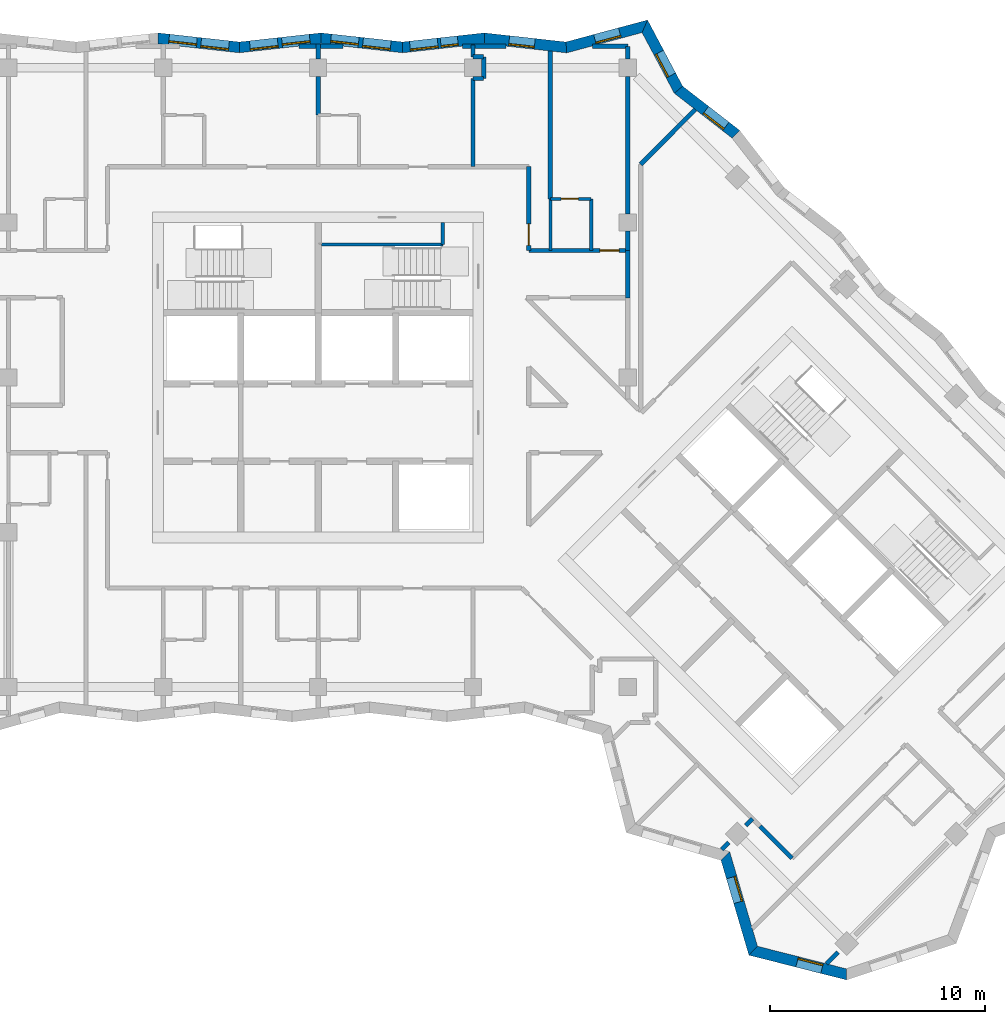
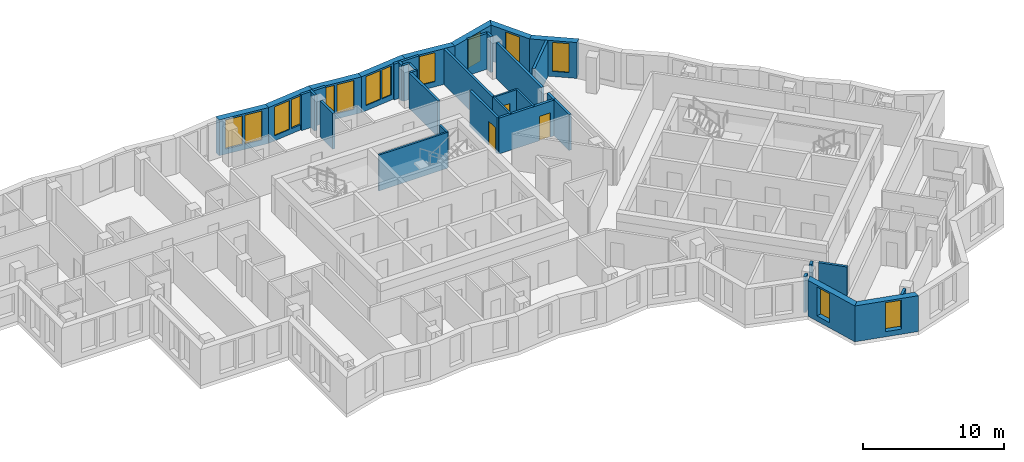
# One storey, part 7 of 13: 37 walls, 14 windows, 3 doors, 17 openings.
"""IFC4 building model written with IfcOpenShell, lengths in metres."""

from ifc_helpers import new_model, si_unit, direction, frame, frame_2d, origin, place, context, subcontext, project, spatial, polyline, rectangle, outline, extrude, material, layer, layer_set, type_object, element, fill, save


model = new_model("IFC4")

# Units and contexts
model_context = context("Model", 3, precision=1e-05, world=origin(), true_north=direction((0.0, 1.0)))
body_context = subcontext(model_context, "Body", "Model", "MODEL_VIEW")
ifc_project = project(units=[si_unit("LENGTHUNIT", "METRE"), si_unit("AREAUNIT", "SQUARE_METRE"), si_unit("VOLUMEUNIT", "CUBIC_METRE"), si_unit("PLANEANGLEUNIT", "RADIAN"), si_unit("MASSUNIT", "GRAM", prefix="KILO")], contexts=[model_context])

# Site, building, storey
site_placement = place(None, origin())
site = spatial("IfcSite", under=ifc_project, at=site_placement, CompositionType="ELEMENT")
building_placement = place(site_placement, origin())
building = spatial("IfcBuilding", under=site, at=building_placement, Name="Windrow Commons", CompositionType="ELEMENT")
storey_placement = place(building_placement, frame((0.0, 0.0, 203.2)))
storey = spatial("IfcBuildingStorey", under=building, at=storey_placement, Name="L55", CompositionType="ELEMENT", Elevation=203.2)

# Wall, opening, window
ifc_material_1 = material(Name="Brick masonry, red clay brick", Category="masonry")
ifc_layer_1 = layer(ifc_material_1, 0.5)
ifc_layer_set_1 = layer_set([ifc_layer_1], Name="Brick facade wall 500")
wall_type_1 = type_object("IfcWallType", Name="Brick facade wall 500", PredefinedType="SOLIDWALL", material=ifc_layer_set_1)
wall_1_placement = place(storey_placement, frame((84.2297, 68.9064, 0.0), z_axis=(0.0, 0.0, 1.0), x_axis=(-0.7901686375, 0.6128894879, 0.0)))
wall_1 = element("IfcWall", 1, at=wall_1_placement, inside=storey, type_object=wall_type_1, Name="Brick facade wall L55 15", PredefinedType="SOLIDWALL", context=body_context, shape_type="SweptSolid", body=[
    extrude(outline(polyline([(-0.0316, -0.25), (3.3269, -0.25), (3.4343, 0.25), (0.0316, 0.25), (-0.0316, -0.25)])), origin(), (0.0, 0.0, 1.0), 3.1),
])
opening_1_placement = place(wall_1_placement, frame((0.5963, 0.0, 0.45)))
opening_1 = element("IfcOpeningElement", 2, at=opening_1_placement, cuts=wall_1, Name="Opening W7E", PredefinedType="OPENING", context=body_context, shape_type="SweptSolid", body=[
    extrude(rectangle(XDim=1.2, YDim=2.5, at=frame_2d((0.6, 1.25))), frame((0.0, 0.26, 0.0), z_axis=(0.0, -1.0, 0.0), x_axis=(1.0, 0.0, 0.0)), (0.0, 0.0, 1.0), 0.52),
])
ifc_material_2 = material(Name="Clear float glass in anodised aluminium frame", Category="aluminium")
window_type_1 = type_object("IfcWindowType", Name="Window W7 notch 1200x2500", PartitioningType="SINGLE_PANEL", PredefinedType="WINDOW", material=ifc_material_2)
window_1_placement = place(opening_1_placement, origin())
window_1 = element("IfcWindow", 3, at=window_1_placement, inside=storey, type_object=window_type_1, Name="Window L55 15.1", OverallHeight=2.5, OverallWidth=1.2, PartitioningType="SINGLE_PANEL", PredefinedType="WINDOW", context=body_context, shape_type="SweptSolid", body=[
    extrude(rectangle(XDim=1.2, YDim=2.5, at=frame_2d((0.6, 1.25))), frame((0.0, 0.18, 0.0), z_axis=(0.0, -1.0, 0.0), x_axis=(1.0, 0.0, 0.0)), (0.0, 0.0, 1.0), 0.06),
])
fill(opening_1, window_1)

wall_2_placement = place(storey_placement, frame((81.5585, 70.9783, 0.0), z_axis=(0.0, 0.0, 1.0), x_axis=(-0.4689165571, 0.8832424709, 0.0)))
wall_2 = element("IfcWall", 4, at=wall_2_placement, inside=storey, type_object=wall_type_1, Name="Brick facade wall L55 16", PredefinedType="SOLIDWALL", context=body_context, shape_type="SweptSolid", body=[
    extrude(outline(polyline([(0.0537, -0.25), (3.5386, -0.25), (3.1402, 0.25), (-0.0537, 0.25), (0.0537, -0.25)])), origin(), (0.0, 0.0, 1.0), 3.1),
])
opening_2_placement = place(wall_2_placement, frame((0.7499, 0.0, 0.45)))
opening_2 = element("IfcOpeningElement", 5, at=opening_2_placement, cuts=wall_2, Name="Opening W7E", PredefinedType="OPENING", context=body_context, shape_type="SweptSolid", body=[
    extrude(rectangle(XDim=1.2, YDim=2.5, at=frame_2d((0.6, 1.25))), frame((0.0, 0.26, 0.0), z_axis=(0.0, -1.0, 0.0), x_axis=(1.0, 0.0, 0.0)), (0.0, 0.0, 1.0), 0.52),
])
window_2_placement = place(opening_2_placement, origin())
window_2 = element("IfcWindow", 6, at=window_2_placement, inside=storey, type_object=window_type_1, Name="Window L55 16.1", OverallHeight=2.5, OverallWidth=1.2, PartitioningType="SINGLE_PANEL", PredefinedType="WINDOW", context=body_context, shape_type="SweptSolid", body=[
    extrude(rectangle(XDim=1.2, YDim=2.5, at=frame_2d((0.6, 1.25))), frame((0.0, 0.18, 0.0), z_axis=(0.0, -1.0, 0.0), x_axis=(1.0, 0.0, 0.0)), (0.0, 0.0, 1.0), 0.06),
])
fill(opening_2, window_2)

wall_3_placement = place(storey_placement, frame((79.9926, 73.9278, 0.0), z_axis=(0.0, 0.0, 1.0), x_axis=(-0.9656859812, -0.259712506, 0.0)))
wall_3 = element("IfcWall", 7, at=wall_3_placement, inside=storey, type_object=wall_type_1, Name="Brick facade wall L55 17", PredefinedType="SOLIDWALL", context=body_context, shape_type="SweptSolid", body=[
    extrude(outline(polyline([(-0.1992, -0.25), (3.732, -0.25), (3.8264, 0.25), (0.1992, 0.25), (-0.1992, -0.25)])), origin(), (0.0, 0.0, 1.0), 3.1),
])
opening_3_placement = place(wall_3_placement, frame((1.2, 0.0, 0.45)))
opening_3 = element("IfcOpeningElement", 8, at=opening_3_placement, cuts=wall_3, Name="Opening W7E", PredefinedType="OPENING", context=body_context, shape_type="SweptSolid", body=[
    extrude(rectangle(XDim=1.2, YDim=2.5, at=frame_2d((0.6, 1.25))), frame((0.0, 0.26, 0.0), z_axis=(0.0, -1.0, 0.0), x_axis=(1.0, 0.0, 0.0)), (0.0, 0.0, 1.0), 0.52),
])
window_3_placement = place(opening_3_placement, origin())
window_3 = element("IfcWindow", 9, at=window_3_placement, inside=storey, type_object=window_type_1, Name="Window L55 17.1", OverallHeight=2.5, OverallWidth=1.2, PartitioningType="SINGLE_PANEL", PredefinedType="WINDOW", context=body_context, shape_type="SweptSolid", body=[
    extrude(rectangle(XDim=1.2, YDim=2.5, at=frame_2d((0.6, 1.25))), frame((0.0, 0.18, 0.0), z_axis=(0.0, -1.0, 0.0), x_axis=(1.0, 0.0, 0.0)), (0.0, 0.0, 1.0), 0.06),
])
fill(opening_3, window_3)

wall_4_placement = place(storey_placement, frame((76.3431, 72.9463, 0.0), z_axis=(0.0, 0.0, 1.0), x_axis=(-0.9939056334, 0.1102342595, 0.0)))
wall_4 = element("IfcWall", 10, at=wall_4_placement, inside=storey, type_object=wall_type_1, Name="Brick facade wall L55 18", PredefinedType="SOLIDWALL", context=body_context, shape_type="SweptSolid", body=[
    extrude(outline(polyline([(0.0472, -0.25), (3.8668, -0.25), (3.8113, 0.25), (-0.0472, 0.25), (0.0472, -0.25)])), origin(), (0.0, 0.0, 1.0), 3.1),
])
opening_4_placement = place(wall_4_placement, frame((1.4795, 0.0, 0.45)))
opening_4 = element("IfcOpeningElement", 11, at=opening_4_placement, cuts=wall_4, Name="Opening W7E", PredefinedType="OPENING", context=body_context, shape_type="SweptSolid", body=[
    extrude(rectangle(XDim=1.2, YDim=2.5, at=frame_2d((0.6, 1.25))), frame((0.0, 0.26, 0.0), z_axis=(0.0, -1.0, 0.0), x_axis=(1.0, 0.0, 0.0)), (0.0, 0.0, 1.0), 0.52),
])
window_4_placement = place(opening_4_placement, origin())
window_4 = element("IfcWindow", 12, at=window_4_placement, inside=storey, type_object=window_type_1, Name="Window L55 18.1", OverallHeight=2.5, OverallWidth=1.2, PartitioningType="SINGLE_PANEL", PredefinedType="WINDOW", context=body_context, shape_type="SweptSolid", body=[
    extrude(rectangle(XDim=1.2, YDim=2.5, at=frame_2d((0.6, 1.25))), frame((0.0, 0.18, 0.0), z_axis=(0.0, -1.0, 0.0), x_axis=(1.0, 0.0, 0.0)), (0.0, 0.0, 1.0), 0.06),
])
fill(opening_4, window_4)

# Wall, openings, windows
wall_5_placement = place(storey_placement, frame((72.5274, 73.3695, 0.0), z_axis=(0.0, 0.0, 1.0), x_axis=(-0.99390702, -0.1102217568, 0.0)))
wall_5 = element("IfcWall", 13, at=wall_5_placement, inside=storey, type_object=wall_type_1, Name="Brick facade wall L55 19", PredefinedType="SOLIDWALL", context=body_context, shape_type="SweptSolid", body=[
    extrude(outline(polyline([(-0.0277, -0.25), (3.7919, -0.25), (3.8473, 0.25), (0.0277, 0.25), (-0.0277, -0.25)])), origin(), (0.0, 0.0, 1.0), 3.1),
])
opening_5_placement = place(wall_5_placement, frame((2.1751, 0.0, 0.45)))
opening_5 = element("IfcOpeningElement", 14, at=opening_5_placement, cuts=wall_5, Name="Opening W1Q", PredefinedType="OPENING", context=body_context, shape_type="SweptSolid", body=[
    extrude(rectangle(XDim=1.3, YDim=2.5, at=frame_2d((0.65, 1.25))), frame((0.0, 0.26, 0.0), z_axis=(0.0, -1.0, 0.0), x_axis=(1.0, 0.0, 0.0)), (0.0, 0.0, 1.0), 0.52),
])
opening_6_placement = place(wall_5_placement, frame((1.2365, 0.0, 0.45)))
opening_6 = element("IfcOpeningElement", 15, at=opening_6_placement, cuts=wall_5, Name="Opening W1N", PredefinedType="OPENING", context=body_context, shape_type="SweptSolid", body=[
    extrude(rectangle(XDim=0.8, YDim=2.5, at=frame_2d((0.4, 1.25))), frame((0.0, 0.26, 0.0), z_axis=(0.0, -1.0, 0.0), x_axis=(1.0, 0.0, 0.0)), (0.0, 0.0, 1.0), 0.52),
])
ifc_material_3 = material(Name="Clear float glass in anodised aluminium frame", Category="aluminium")
window_type_2 = type_object("IfcWindowType", Name="Window W1N slit 800x2500", PartitioningType="SINGLE_PANEL", PredefinedType="WINDOW", material=ifc_material_3)
window_5_placement = place(opening_6_placement, origin())
window_5 = element("IfcWindow", 16, at=window_5_placement, inside=storey, type_object=window_type_2, Name="Window L55 19.1AA", OverallHeight=2.5, OverallWidth=0.8, PartitioningType="SINGLE_PANEL", PredefinedType="WINDOW", context=body_context, shape_type="SweptSolid", body=[
    extrude(rectangle(XDim=0.8, YDim=2.5, at=frame_2d((0.4, 1.25))), frame((0.0, 0.18, 0.0), z_axis=(0.0, -1.0, 0.0), x_axis=(1.0, 0.0, 0.0)), (0.0, 0.0, 1.0), 0.06),
])
fill(opening_6, window_5)
ifc_material_4 = material(Name="Clear float glass in anodised aluminium frame", Category="aluminium")
window_type_3 = type_object("IfcWindowType", Name="Window W1Q pair 1300x2500", PartitioningType="SINGLE_PANEL", PredefinedType="WINDOW", material=ifc_material_4)
window_6_placement = place(opening_5_placement, origin())
window_6 = element("IfcWindow", 17, at=window_6_placement, inside=storey, type_object=window_type_3, Name="Window L55 19.1B", OverallHeight=2.5, OverallWidth=1.3, PartitioningType="SINGLE_PANEL", PredefinedType="WINDOW", context=body_context, shape_type="SweptSolid", body=[
    extrude(rectangle(XDim=1.3, YDim=2.5, at=frame_2d((0.65, 1.25))), frame((0.0, 0.18, 0.0), z_axis=(0.0, -1.0, 0.0), x_axis=(1.0, 0.0, 0.0)), (0.0, 0.0, 1.0), 0.06),
])
fill(opening_5, window_6)

wall_6_placement = place(storey_placement, frame((68.7311, 72.9485, 0.0), z_axis=(0.0, 0.0, 1.0), x_axis=(-0.99390702, 0.1102217568, 0.0)))
wall_6 = element("IfcWall", 18, at=wall_6_placement, inside=storey, type_object=wall_type_1, Name="Brick facade wall L55 20", PredefinedType="SOLIDWALL", context=body_context, shape_type="SweptSolid", body=[
    extrude(outline(polyline([(0.0277, -0.25), (3.8473, -0.25), (3.7919, 0.25), (-0.0277, 0.25), (0.0277, -0.25)])), origin(), (0.0, 0.0, 1.0), 3.1),
])
opening_7_placement = place(wall_6_placement, frame((0.5625, 0.0, 0.45)))
opening_7 = element("IfcOpeningElement", 19, at=opening_7_placement, cuts=wall_6, Name="Opening W1Q", PredefinedType="OPENING", context=body_context, shape_type="SweptSolid", body=[
    extrude(rectangle(XDim=1.3, YDim=2.5, at=frame_2d((0.65, 1.25))), frame((0.0, 0.26, 0.0), z_axis=(0.0, -1.0, 0.0), x_axis=(1.0, 0.0, 0.0)), (0.0, 0.0, 1.0), 0.52),
])
opening_8_placement = place(wall_6_placement, frame((2.0625, 0.0, 0.45)))
opening_8 = element("IfcOpeningElement", 20, at=opening_8_placement, cuts=wall_6, Name="Opening W1Q", PredefinedType="OPENING", context=body_context, shape_type="SweptSolid", body=[
    extrude(rectangle(XDim=1.3, YDim=2.5, at=frame_2d((0.65, 1.25))), frame((0.0, 0.26, 0.0), z_axis=(0.0, -1.0, 0.0), x_axis=(1.0, 0.0, 0.0)), (0.0, 0.0, 1.0), 0.52),
])
window_7_placement = place(opening_7_placement, origin())
window_7 = element("IfcWindow", 21, at=window_7_placement, inside=storey, type_object=window_type_3, Name="Window L55 20.1A", OverallHeight=2.5, OverallWidth=1.3, PartitioningType="SINGLE_PANEL", PredefinedType="WINDOW", context=body_context, shape_type="SweptSolid", body=[
    extrude(rectangle(XDim=1.3, YDim=2.5, at=frame_2d((0.65, 1.25))), frame((0.0, 0.18, 0.0), z_axis=(0.0, -1.0, 0.0), x_axis=(1.0, 0.0, 0.0)), (0.0, 0.0, 1.0), 0.06),
])
fill(opening_7, window_7)
window_8_placement = place(opening_8_placement, origin())
window_8 = element("IfcWindow", 22, at=window_8_placement, inside=storey, type_object=window_type_3, Name="Window L55 20.1B", OverallHeight=2.5, OverallWidth=1.3, PartitioningType="SINGLE_PANEL", PredefinedType="WINDOW", context=body_context, shape_type="SweptSolid", body=[
    extrude(rectangle(XDim=1.3, YDim=2.5, at=frame_2d((0.65, 1.25))), frame((0.0, 0.12, 0.0), z_axis=(0.0, -1.0, 0.0), x_axis=(1.0, 0.0, 0.0)), (0.0, 0.0, 1.0), 0.06),
])
fill(opening_8, window_8)

wall_7_placement = place(storey_placement, frame((64.9348, 73.3695, 0.0), z_axis=(0.0, 0.0, 1.0), x_axis=(-0.993907338, -0.1102188888, 0.0)))
wall_7 = element("IfcWall", 23, at=wall_7_placement, inside=storey, type_object=wall_type_1, Name="Brick facade wall L55 21", PredefinedType="SOLIDWALL", context=body_context, shape_type="SweptSolid", body=[
    extrude(outline(polyline([(-0.0277, -0.25), (3.7919, -0.25), (3.8473, 0.25), (0.0277, 0.25), (-0.0277, -0.25)])), origin(), (0.0, 0.0, 1.0), 3.1),
])
opening_9_placement = place(wall_7_placement, frame((0.5237, 0.0, 0.45)))
opening_9 = element("IfcOpeningElement", 24, at=opening_9_placement, cuts=wall_7, Name="Opening W1Q", PredefinedType="OPENING", context=body_context, shape_type="SweptSolid", body=[
    extrude(rectangle(XDim=1.3, YDim=2.5, at=frame_2d((0.65, 1.25))), frame((0.0, 0.26, 0.0), z_axis=(0.0, -1.0, 0.0), x_axis=(1.0, 0.0, 0.0)), (0.0, 0.0, 1.0), 0.52),
])
opening_10_placement = place(wall_7_placement, frame((2.0237, 0.0, 0.45)))
opening_10 = element("IfcOpeningElement", 25, at=opening_10_placement, cuts=wall_7, Name="Opening W1Q", PredefinedType="OPENING", context=body_context, shape_type="SweptSolid", body=[
    extrude(rectangle(XDim=1.3, YDim=2.5, at=frame_2d((0.65, 1.25))), frame((0.0, 0.26, 0.0), z_axis=(0.0, -1.0, 0.0), x_axis=(1.0, 0.0, 0.0)), (0.0, 0.0, 1.0), 0.52),
])
window_9_placement = place(opening_9_placement, origin())
window_9 = element("IfcWindow", 26, at=window_9_placement, inside=storey, type_object=window_type_3, Name="Window L55 21.1A", OverallHeight=2.5, OverallWidth=1.3, PartitioningType="SINGLE_PANEL", PredefinedType="WINDOW", context=body_context, shape_type="SweptSolid", body=[
    extrude(rectangle(XDim=1.3, YDim=2.5, at=frame_2d((0.65, 1.25))), frame((0.0, 0.12, 0.0), z_axis=(0.0, -1.0, 0.0), x_axis=(1.0, 0.0, 0.0)), (0.0, 0.0, 1.0), 0.06),
])
fill(opening_9, window_9)
window_10_placement = place(opening_10_placement, origin())
window_10 = element("IfcWindow", 27, at=window_10_placement, inside=storey, type_object=window_type_3, Name="Window L55 21.1B", OverallHeight=2.5, OverallWidth=1.3, PartitioningType="SINGLE_PANEL", PredefinedType="WINDOW", context=body_context, shape_type="SweptSolid", body=[
    extrude(rectangle(XDim=1.3, YDim=2.5, at=frame_2d((0.65, 1.25))), frame((0.0, 0.18, 0.0), z_axis=(0.0, -1.0, 0.0), x_axis=(1.0, 0.0, 0.0)), (0.0, 0.0, 1.0), 0.06),
])
fill(opening_10, window_10)

wall_8_placement = place(storey_placement, frame((61.1384, 72.9485, 0.0), z_axis=(0.0, 0.0, 1.0), x_axis=(-0.99390702, 0.1102217568, 0.0)))
wall_8 = element("IfcWall", 28, at=wall_8_placement, inside=storey, type_object=wall_type_1, Name="Brick facade wall L55 22", PredefinedType="SOLIDWALL", context=body_context, shape_type="SweptSolid", body=[
    extrude(outline(polyline([(0.0277, -0.25), (3.8473, -0.25), (3.7919, 0.25), (-0.0277, 0.25), (0.0277, -0.25)])), origin(), (0.0, 0.0, 1.0), 3.1),
])
opening_11_placement = place(wall_8_placement, frame((0.4959, 0.0, 0.45)))
opening_11 = element("IfcOpeningElement", 29, at=opening_11_placement, cuts=wall_8, Name="Opening W1Q", PredefinedType="OPENING", context=body_context, shape_type="SweptSolid", body=[
    extrude(rectangle(XDim=1.3, YDim=2.5, at=frame_2d((0.65, 1.25))), frame((0.0, 0.26, 0.0), z_axis=(0.0, -1.0, 0.0), x_axis=(1.0, 0.0, 0.0)), (0.0, 0.0, 1.0), 0.52),
])
opening_12_placement = place(wall_8_placement, frame((1.9959, 0.0, 0.45)))
opening_12 = element("IfcOpeningElement", 30, at=opening_12_placement, cuts=wall_8, Name="Opening W1Q", PredefinedType="OPENING", context=body_context, shape_type="SweptSolid", body=[
    extrude(rectangle(XDim=1.3, YDim=2.5, at=frame_2d((0.65, 1.25))), frame((0.0, 0.26, 0.0), z_axis=(0.0, -1.0, 0.0), x_axis=(1.0, 0.0, 0.0)), (0.0, 0.0, 1.0), 0.52),
])
window_11_placement = place(opening_11_placement, origin())
window_11 = element("IfcWindow", 31, at=window_11_placement, inside=storey, type_object=window_type_3, Name="Window L55 22.1A", OverallHeight=2.5, OverallWidth=1.3, PartitioningType="SINGLE_PANEL", PredefinedType="WINDOW", context=body_context, shape_type="SweptSolid", body=[
    extrude(rectangle(XDim=1.3, YDim=2.5, at=frame_2d((0.65, 1.25))), frame((0.0, 0.18, 0.0), z_axis=(0.0, -1.0, 0.0), x_axis=(1.0, 0.0, 0.0)), (0.0, 0.0, 1.0), 0.06),
])
fill(opening_11, window_11)
window_12_placement = place(opening_12_placement, origin())
window_12 = element("IfcWindow", 32, at=window_12_placement, inside=storey, type_object=window_type_3, Name="Window L55 22.1B", OverallHeight=2.5, OverallWidth=1.3, PartitioningType="SINGLE_PANEL", PredefinedType="WINDOW", context=body_context, shape_type="SweptSolid", body=[
    extrude(rectangle(XDim=1.3, YDim=2.5, at=frame_2d((0.65, 1.25))), frame((0.0, 0.12, 0.0), z_axis=(0.0, -1.0, 0.0), x_axis=(1.0, 0.0, 0.0)), (0.0, 0.0, 1.0), 0.06),
])
fill(opening_12, window_12)

# Wall, opening, window
wall_9_placement = place(storey_placement, frame((83.7396, 35.3363, 0.0), z_axis=(0.0, 0.0, 1.0), x_axis=(0.2820577435, -0.9593974303, 0.0)))
wall_9 = element("IfcWall", 33, at=wall_9_placement, inside=storey, type_object=wall_type_1, Name="Brick facade wall L55 50", PredefinedType="SOLIDWALL", context=body_context, shape_type="SweptSolid", body=[
    extrude(outline(polyline([(0.1364, -0.25), (4.7299, -0.25), (4.4449, 0.25), (-0.1364, 0.25), (0.1364, -0.25)])), origin(), (0.0, 0.0, 1.0), 3.1),
])
opening_13_placement = place(wall_9_placement, frame((1.0303, 0.0, 0.45)))
opening_13 = element("IfcOpeningElement", 34, at=opening_13_placement, cuts=wall_9, Name="Opening W7E", PredefinedType="OPENING", context=body_context, shape_type="SweptSolid", body=[
    extrude(rectangle(XDim=1.2, YDim=2.5, at=frame_2d((0.6, 1.25))), frame((0.0, 0.26, 0.0), z_axis=(0.0, -1.0, 0.0), x_axis=(1.0, 0.0, 0.0)), (0.0, 0.0, 1.0), 0.52),
])
window_13_placement = place(opening_13_placement, origin())
window_13 = element("IfcWindow", 35, at=window_13_placement, inside=storey, type_object=window_type_1, Name="Window L55 50.1", OverallHeight=2.5, OverallWidth=1.2, PartitioningType="SINGLE_PANEL", PredefinedType="WINDOW", context=body_context, shape_type="SweptSolid", body=[
    extrude(rectangle(XDim=1.2, YDim=2.5, at=frame_2d((0.6, 1.25))), frame((0.0, 0.18, 0.0), z_axis=(0.0, -1.0, 0.0), x_axis=(1.0, 0.0, 0.0)), (0.0, 0.0, 1.0), 0.06),
])
fill(opening_13, window_13)

wall_10_placement = place(storey_placement, frame((85.0335, 30.9352, 0.0), z_axis=(0.0, 0.0, 1.0), x_axis=(0.9692704293, -0.2459976318, 0.0)))
wall_10 = element("IfcWall", 36, at=wall_10_placement, inside=storey, type_object=wall_type_1, Name="Brick facade wall L55 51", PredefinedType="SOLIDWALL", context=body_context, shape_type="SweptSolid", body=[
    extrude(outline(polyline([(-0.1425, -0.25), (4.5501, -0.25), (4.4035, 0.25), (0.1425, 0.25), (-0.1425, -0.25)])), origin(), (0.0, 0.0, 1.0), 3.1),
])
opening_14_placement = place(wall_10_placement, frame((2.1066, 0.0, 0.45)))
opening_14 = element("IfcOpeningElement", 37, at=opening_14_placement, cuts=wall_10, Name="Opening W7E", PredefinedType="OPENING", context=body_context, shape_type="SweptSolid", body=[
    extrude(rectangle(XDim=1.2, YDim=2.5, at=frame_2d((0.6, 1.25))), frame((0.0, 0.26, 0.0), z_axis=(0.0, -1.0, 0.0), x_axis=(1.0, 0.0, 0.0)), (0.0, 0.0, 1.0), 0.52),
])
window_14_placement = place(opening_14_placement, origin())
window_14 = element("IfcWindow", 38, at=window_14_placement, inside=storey, type_object=window_type_1, Name="Window L55 51.1", OverallHeight=2.5, OverallWidth=1.2, PartitioningType="SINGLE_PANEL", PredefinedType="WINDOW", context=body_context, shape_type="SweptSolid", body=[
    extrude(rectangle(XDim=1.2, YDim=2.5, at=frame_2d((0.6, 1.25))), frame((0.0, 0.18, 0.0), z_axis=(0.0, -1.0, 0.0), x_axis=(1.0, 0.0, 0.0)), (0.0, 0.0, 1.0), 0.06),
])
fill(opening_14, window_14)

# Wall, opening, door
ifc_material_5 = material(Name="Blockwork partition", Category="masonry")
ifc_layer_2 = layer(ifc_material_5, 0.2)
ifc_layer_set_2 = layer_set([ifc_layer_2], Name="IW-CORRIDOR-200")
wall_type_2 = type_object("IfcWallType", Name="IW-CORRIDOR-200", PredefinedType="PARTITIONING", material=ifc_layer_set_2)
wall_11_placement = place(storey_placement, frame((74.602, 63.5, 0.0), z_axis=(0.0, 0.0, 1.0), x_axis=(1.0, 0.0, 0.0)))
wall_11 = element("IfcWall", 39, at=wall_11_placement, inside=storey, type_object=wall_type_2, Name="W-L55-W036", PredefinedType="PARTITIONING", context=body_context, shape_type="SweptSolid", body=[
    extrude(rectangle(XDim=4.598, YDim=0.2, at=frame_2d((2.299, 0.0))), origin(), (0.0, 0.0, 1.0), 3.1),
])
opening_15_placement = place(wall_11_placement, frame((3.298, 0.0, 0.0)))
opening_15 = element("IfcOpeningElement", 40, at=opening_15_placement, cuts=wall_11, Name="Opening D109S", PredefinedType="OPENING", context=body_context, shape_type="SweptSolid", body=[
    extrude(rectangle(XDim=0.9, YDim=2.1, at=frame_2d((0.45, 1.05))), frame((0.0, 0.11, 0.0), z_axis=(0.0, -1.0, 0.0), x_axis=(1.0, 0.0, 0.0)), (0.0, 0.0, 1.0), 0.22),
])
ifc_material_6 = material(Name="Timber door leaf", Category="wood")
door_type_1 = type_object("IfcDoorType", Name="DT-BEDROOM-900", OperationType="SINGLE_SWING_LEFT", PredefinedType="DOOR", material=ifc_material_6)
door_1_placement = place(opening_15_placement, origin())
door_1 = element("IfcDoor", 41, at=door_1_placement, inside=storey, type_object=door_type_1, Name="D-L55-D021", OperationType="SINGLE_SWING_LEFT", OverallHeight=2.1, OverallWidth=0.9, PredefinedType="DOOR", context=body_context, shape_type="SweptSolid", body=[
    extrude(rectangle(XDim=0.9, YDim=2.1, at=frame_2d((0.45, 1.05))), frame((0.0, 0.025, 0.0), z_axis=(0.0, -1.0, 0.0), x_axis=(1.0, 0.0, 0.0)), (0.0, 0.0, 1.0), 0.05),
])
fill(opening_15, door_1)

wall_12_placement = place(storey_placement, frame((74.6, 63.502, 0.0), z_axis=(0.0, 0.0, 1.0), x_axis=(0.0, 1.0, 0.0)))
wall_12 = element("IfcWall", 42, at=wall_12_placement, inside=storey, type_object=wall_type_2, Name="W-L55-W043", PredefinedType="PARTITIONING", context=body_context, shape_type="SweptSolid", body=[
    extrude(rectangle(XDim=3.898, YDim=0.2, at=frame_2d((1.949, 0.0))), origin(), (0.0, 0.0, 1.0), 3.1),
])
opening_16_placement = place(wall_12_placement, frame((0.2416, 0.0, 0.0)))
opening_16 = element("IfcOpeningElement", 43, at=opening_16_placement, cuts=wall_12, Name="Opening D310F", PredefinedType="OPENING", context=body_context, shape_type="SweptSolid", body=[
    extrude(rectangle(XDim=1.0, YDim=2.1, at=frame_2d((0.5, 1.05))), frame((0.0, 0.11, 0.0), z_axis=(0.0, -1.0, 0.0), x_axis=(1.0, 0.0, 0.0)), (0.0, 0.0, 1.0), 0.22),
])
ifc_material_7 = material(Name="Timber door leaf", Category="wood")
door_type_2 = type_object("IfcDoorType", Name="DT-AMENITY-1000", OperationType="SINGLE_SWING_LEFT", PredefinedType="DOOR", material=ifc_material_7)
door_2_placement = place(opening_16_placement, origin())
door_2 = element("IfcDoor", 44, at=door_2_placement, inside=storey, type_object=door_type_2, Name="D-L55-D020", OperationType="SINGLE_SWING_RIGHT", OverallHeight=2.1, OverallWidth=1.0, PredefinedType="DOOR", context=body_context, shape_type="SweptSolid", body=[
    extrude(rectangle(XDim=1.0, YDim=2.1, at=frame_2d((0.5, 1.05))), frame((0.0, 0.025, 0.0), z_axis=(0.0, -1.0, 0.0), x_axis=(1.0, 0.0, 0.0)), (0.0, 0.0, 1.0), 0.05),
])
fill(opening_16, door_2)

# Walls
wall_13_placement = place(storey_placement, frame((79.2, 61.3, 0.0), z_axis=(0.0, 0.0, 1.0), x_axis=(0.0, 1.0, 0.0)))
element("IfcWall", 45, at=wall_13_placement, inside=storey, type_object=wall_type_2, Name="W-L55-W094", PredefinedType="PARTITIONING", context=body_context, shape_type="SweptSolid", body=[
    extrude(rectangle(XDim=2.2, YDim=0.2, at=frame_2d((1.1, 0.0))), origin(), (0.0, 0.0, 1.0), 3.1),
])
wall_14_placement = place(storey_placement, frame((85.3532, 36.7172, 0.0), z_axis=(0.0, 0.0, 1.0), x_axis=(0.7066304548, -0.7075827869, 0.0)))
element("IfcWall", 46, at=wall_14_placement, inside=storey, type_object=wall_type_2, Name="W-L55-W098", PredefinedType="PARTITIONING", context=body_context, shape_type="SweptSolid", body=[
    extrude(rectangle(XDim=2.1001, YDim=0.2, at=frame_2d((1.05, 0.0))), origin(), (0.0, 0.0, 1.0), 3.1),
])
ifc_material_8 = material(Name="Blockwork partition", Category="masonry")
ifc_layer_3 = layer(ifc_material_8, 0.15)
ifc_layer_set_3 = layer_set([ifc_layer_3], Name="IW-ENSUITE-150")
wall_type_3 = type_object("IfcWallType", Name="IW-ENSUITE-150", PredefinedType="PARTITIONING", material=ifc_layer_set_3)
for number, where, z_axis, x_axis, name in (
    (47, (75.6, 63.5, 0.0), (0.0, 0.0, 1.0), (0.0, 1.0, 0.0), "W-L55-W072"),
    (48, (77.5, 63.5, 0.0), (0.0, 0.0, 1.0), (0.0, 1.0, 0.0), "W-L55-W073"),
):
    element("IfcWall", number, at=place(storey_placement, frame(where, z_axis=z_axis, x_axis=x_axis)), inside=storey, type_object=wall_type_3, Name=name, PredefinedType="PARTITIONING", context=body_context, shape_type="SweptSolid", body=[
        extrude(rectangle(XDim=2.4, YDim=0.15, at=frame_2d((1.2, 0.0))), origin(), (0.0, 0.0, 1.0), 3.1),
    ])

# Wall, opening, door
wall_15_placement = place(storey_placement, frame((75.6, 65.9, 0.0), z_axis=(0.0, 0.0, 1.0), x_axis=(1.0, 0.0, 0.0)))
wall_15 = element("IfcWall", 49, at=wall_15_placement, inside=storey, type_object=wall_type_3, Name="W-L55-W111", PredefinedType="PARTITIONING", context=body_context, shape_type="SweptSolid", body=[
    extrude(rectangle(XDim=1.9, YDim=0.15, at=frame_2d((0.95, 0.0))), origin(), (0.0, 0.0, 1.0), 3.1),
])
opening_17_placement = place(wall_15_placement, frame((0.5021, 0.0, 0.0)))
opening_17 = element("IfcOpeningElement", 50, at=opening_17_placement, cuts=wall_15, Name="Opening D208N", PredefinedType="OPENING", context=body_context, shape_type="SweptSolid", body=[
    extrude(rectangle(XDim=0.8, YDim=2.1, at=frame_2d((0.4, 1.05))), frame((0.0, 0.085, 0.0), z_axis=(0.0, -1.0, 0.0), x_axis=(1.0, 0.0, 0.0)), (0.0, 0.0, 1.0), 0.17),
])
ifc_material_9 = material(Name="Timber door leaf", Category="wood")
door_type_3 = type_object("IfcDoorType", Name="DT-ENSUITE-800", OperationType="SINGLE_SWING_LEFT", PredefinedType="DOOR", material=ifc_material_9)
door_3_placement = place(opening_17_placement, origin())
door_3 = element("IfcDoor", 51, at=door_3_placement, inside=storey, type_object=door_type_3, Name="D-L55-D022", OperationType="SINGLE_SWING_RIGHT", OverallHeight=2.1, OverallWidth=0.8, PredefinedType="DOOR", context=body_context, shape_type="SweptSolid", body=[
    extrude(rectangle(XDim=0.8, YDim=2.1, at=frame_2d((0.4, 1.05))), frame((0.0, 0.025, 0.0), z_axis=(0.0, -1.0, 0.0), x_axis=(1.0, 0.0, 0.0)), (0.0, 0.0, 1.0), 0.05),
])
fill(opening_17, door_3)

# Walls
ifc_material_10 = material(Name="Blockwork partition", Category="masonry")
ifc_layer_4 = layer(ifc_material_10, 0.2)
ifc_layer_set_4 = layer_set([ifc_layer_4], Name="IW-PARTY-200")
wall_type_4 = type_object("IfcWallType", Name="IW-PARTY-200", PredefinedType="PARTITIONING", material=ifc_layer_set_4)
wall_16_placement = place(storey_placement, frame((75.6, 65.9, 0.0), z_axis=(0.0, 0.0, 1.0), x_axis=(0.0, 1.0, 0.0)))
element("IfcWall", 52, at=wall_16_placement, inside=storey, type_object=wall_type_4, Name="W-L55-W015", PredefinedType="PARTITIONING", context=body_context, shape_type="SweptSolid", body=[
    extrude(rectangle(XDim=6.8772, YDim=0.2, at=frame_2d((3.4386, 0.0))), origin(), (0.0, 0.0, 1.0), 3.1),
])
wall_17_placement = place(storey_placement, frame((79.2, 65.2, 0.0), z_axis=(0.0, 0.0, 1.0), x_axis=(0.0, 1.0, 0.0)))
element("IfcWall", 53, at=wall_17_placement, inside=storey, type_object=wall_type_4, Name="W-L55-W023", PredefinedType="PARTITIONING", context=body_context, shape_type="SweptSolid", body=[
    extrude(rectangle(XDim=6.4, YDim=0.2, at=frame_2d((3.2, 0.0))), origin(), (0.0, 0.0, 1.0), 3.1),
])
wall_18_placement = place(storey_placement, frame((72.0, 67.4, 0.0), z_axis=(0.0, 0.0, 1.0), x_axis=(0.0, 1.0, 0.0)))
element("IfcWall", 54, at=wall_18_placement, inside=storey, type_object=wall_type_4, Name="W-L55-W040", PredefinedType="PARTITIONING", context=body_context, shape_type="SweptSolid", body=[
    extrude(rectangle(XDim=4.096, YDim=0.2, at=frame_2d((2.048, 0.0))), origin(), (0.0, 0.0, 1.0), 3.1),
])
wall_19_placement = place(storey_placement, frame((79.7988, 67.5092, 0.0), z_axis=(0.0, 0.0, 1.0), x_axis=(0.7070928849, 0.7071206772, 0.0)))
element("IfcWall", 55, at=wall_19_placement, inside=storey, type_object=wall_type_4, Name="W-L55-W045", PredefinedType="PARTITIONING", context=body_context, shape_type="SweptSolid", body=[
    extrude(rectangle(XDim=3.5981, YDim=0.2, at=frame_2d((1.7991, 0.0))), origin(), (0.0, 0.0, 1.0), 3.1),
])
for number, where, z_axis, x_axis, name in (
    (56, (63.9213, 73.0, 0.0), (0.0, 0.0, 1.0), (1.0, 0.0, 0.0), "W-L55-W104"),
    (57, (71.5139, 73.0, 0.0), (0.0, 0.0, 1.0), (1.0, 0.0, 0.0), "W-L55-W105"),
):
    element("IfcWall", number, at=place(storey_placement, frame(where, z_axis=z_axis, x_axis=x_axis)), inside=storey, type_object=wall_type_4, Name=name, PredefinedType="PARTITIONING", context=body_context, shape_type="SweptSolid", body=[
        extrude(rectangle(XDim=2.0269, YDim=0.2, at=frame_2d((1.0134, 0.0))), origin(), (0.0, 0.0, 1.0), 3.1),
    ])
wall_20_placement = place(storey_placement, frame((64.8, 69.8, 0.0), z_axis=(0.0, 0.0, 1.0), x_axis=(0.0, 1.0, 0.0)))
element("IfcWall", 58, at=wall_20_placement, inside=storey, type_object=wall_type_4, Name="W-L55-W127", PredefinedType="PARTITIONING", context=body_context, shape_type="SweptSolid", body=[
    extrude(rectangle(XDim=1.8, YDim=0.2, at=frame_2d((0.9, 0.0))), origin(), (0.0, 0.0, 1.0), 3.1),
])
wall_21_placement = place(storey_placement, frame((77.5552, 73.0, 0.0), z_axis=(0.0, 0.0, 1.0), x_axis=(1.0, 0.0, 0.0)))
element("IfcWall", 59, at=wall_21_placement, inside=storey, type_object=wall_type_4, Name="W-L55-W131", PredefinedType="PARTITIONING", context=body_context, shape_type="SweptSolid", body=[
    extrude(rectangle(XDim=1.6448, YDim=0.2, at=frame_2d((0.8224, 0.0))), origin(), (0.0, 0.0, 1.0), 3.1),
])
wall_22_placement = place(storey_placement, frame((72.5, 71.496, 0.0), z_axis=(0.0, 0.0, 1.0), x_axis=(0.0, 1.0, 0.0)))
element("IfcWall", 60, at=wall_22_placement, inside=storey, type_object=wall_type_4, Name="W-L55-W136", PredefinedType="PARTITIONING", context=body_context, shape_type="SweptSolid", body=[
    extrude(rectangle(XDim=1.01, YDim=0.2, at=frame_2d((0.505, 0.0))), origin(), (0.0, 0.0, 1.0), 3.1),
])
wall_23_placement = place(storey_placement, frame((79.2, 63.5, 0.0), z_axis=(0.0, 0.0, 1.0), x_axis=(0.0, 1.0, 0.0)))
element("IfcWall", 61, at=wall_23_placement, inside=storey, type_object=wall_type_4, Name="W-L55-W142", PredefinedType="PARTITIONING", context=body_context, shape_type="SweptSolid", body=[
    extrude(rectangle(XDim=0.9, YDim=0.2, at=frame_2d((0.45, 0.0))), origin(), (0.0, 0.0, 1.0), 3.1),
])
wall_24_placement = place(storey_placement, frame((88.4389, 30.3289, 0.0), z_axis=(0.0, 0.0, 1.0), x_axis=(0.7071067812, 0.7071067812, 0.0)))
element("IfcWall", 62, at=wall_24_placement, inside=storey, type_object=wall_type_4, Name="W-L55-W151", PredefinedType="PARTITIONING", context=body_context, shape_type="SweptSolid", body=[
    extrude(rectangle(XDim=0.7666, YDim=0.2, at=frame_2d((0.3833, 0.0))), origin(), (0.0, 0.0, 1.0), 3.1),
])
wall_25_placement = place(storey_placement, frame((64.8, 72.4, 0.0), z_axis=(0.0, 0.0, 1.0), x_axis=(0.0, 1.0, 0.0)))
element("IfcWall", 63, at=wall_25_placement, inside=storey, type_object=wall_type_4, Name="W-L55-W154", PredefinedType="PARTITIONING", context=body_context, shape_type="SweptSolid", body=[
    extrude(rectangle(XDim=0.703, YDim=0.2, at=frame_2d((0.3515, 0.0))), origin(), (0.0, 0.0, 1.0), 3.1),
])
wall_26_placement = place(storey_placement, frame((79.2, 72.4, 0.0), z_axis=(0.0, 0.0, 1.0), x_axis=(0.0, 1.0, 0.0)))
element("IfcWall", 64, at=wall_26_placement, inside=storey, type_object=wall_type_4, Name="W-L55-W160", PredefinedType="PARTITIONING", context=body_context, shape_type="SweptSolid", body=[
    extrude(rectangle(XDim=0.6, YDim=0.2, at=frame_2d((0.3, 0.0))), origin(), (0.0, 0.0, 1.0), 3.1),
])
wall_27_placement = place(storey_placement, frame((72.0, 72.506, 0.0), z_axis=(0.0, 0.0, 1.0), x_axis=(0.0, 1.0, 0.0)))
element("IfcWall", 65, at=wall_27_placement, inside=storey, type_object=wall_type_4, Name="W-L55-W166", PredefinedType="PARTITIONING", context=body_context, shape_type="SweptSolid", body=[
    extrude(rectangle(XDim=0.5534, YDim=0.2, at=frame_2d((0.2767, 0.0))), origin(), (0.0, 0.0, 1.0), 3.1),
])
for number, where, z_axis, x_axis, name in (
    (66, (72.0, 71.5, 0.0), (0.0, 0.0, 1.0), (1.0, 0.0, 0.0), "W-L55-W167"),
    (67, (72.0, 72.51, 0.0), (0.0, 0.0, 1.0), (1.0, 0.0, 0.0), "W-L55-W168"),
):
    element("IfcWall", number, at=place(storey_placement, frame(where, z_axis=z_axis, x_axis=x_axis)), inside=storey, type_object=wall_type_4, Name=name, PredefinedType="PARTITIONING", context=body_context, shape_type="SweptSolid", body=[
        extrude(rectangle(XDim=0.5, YDim=0.2, at=frame_2d((0.25, 0.0))), origin(), (0.0, 0.0, 1.0), 3.1),
    ])
wall_28_placement = place(storey_placement, frame((84.6908, 36.7632, 0.0), z_axis=(0.0, 0.0, 1.0), x_axis=(0.7071067812, 0.7071067812, 0.0)))
element("IfcWall", 68, at=wall_28_placement, inside=storey, type_object=wall_type_4, Name="W-L55-W181", PredefinedType="PARTITIONING", context=body_context, shape_type="SweptSolid", body=[
    extrude(rectangle(XDim=0.4327, YDim=0.2, at=frame_2d((0.2163, 0.0))), origin(), (0.0, 0.0, 1.0), 3.1),
])
wall_29_placement = place(storey_placement, frame((83.5772, 35.6446, 0.0), z_axis=(0.0, 0.0, 1.0), x_axis=(0.709897886, 0.7043046155, 0.0)))
element("IfcWall", 69, at=wall_29_placement, inside=storey, type_object=wall_type_4, Name="W-L55-W182", PredefinedType="PARTITIONING", context=body_context, shape_type="SweptSolid", body=[
    extrude(rectangle(XDim=0.447, YDim=0.2, at=frame_2d((0.2235, 0.0))), origin(), (0.0, 0.0, 1.0), 3.1),
])
ifc_material_11 = material(Name="Blockwork partition", Category="masonry")
ifc_layer_5 = layer(ifc_material_11, 0.15)
ifc_layer_set_5 = layer_set([ifc_layer_5], Name="Riser partition 150")
wall_type_5 = type_object("IfcWallType", Name="Riser partition 150", PredefinedType="PARTITIONING", material=ifc_layer_set_5)
wall_30_placement = place(storey_placement, frame((64.95, 63.78, 0.0), z_axis=(0.0, 0.0, 1.0), x_axis=(1.0, 0.0, 0.0)))
element("IfcWall", 70, at=wall_30_placement, inside=storey, type_object=wall_type_5, Name="W-core-strip-A-L55", PredefinedType="PARTITIONING", context=body_context, shape_type="SweptSolid", body=[
    extrude(rectangle(XDim=5.65, YDim=0.15, at=frame_2d((2.825, 0.0))), origin(), (0.0, 0.0, 1.0), 3.1),
])
wall_31_placement = place(storey_placement, frame((70.6, 63.78, 0.0), z_axis=(0.0, 0.0, 1.0), x_axis=(0.0, 1.0, 0.0)))
element("IfcWall", 71, at=wall_31_placement, inside=storey, type_object=wall_type_5, Name="W-core-stripx-A-L55-1", PredefinedType="PARTITIONING", context=body_context, shape_type="SweptSolid", body=[
    extrude(rectangle(XDim=1.02, YDim=0.15, at=frame_2d((0.51, 0.0))), origin(), (0.0, 0.0, 1.0), 3.1),
])

save(model, "model.ifc")
